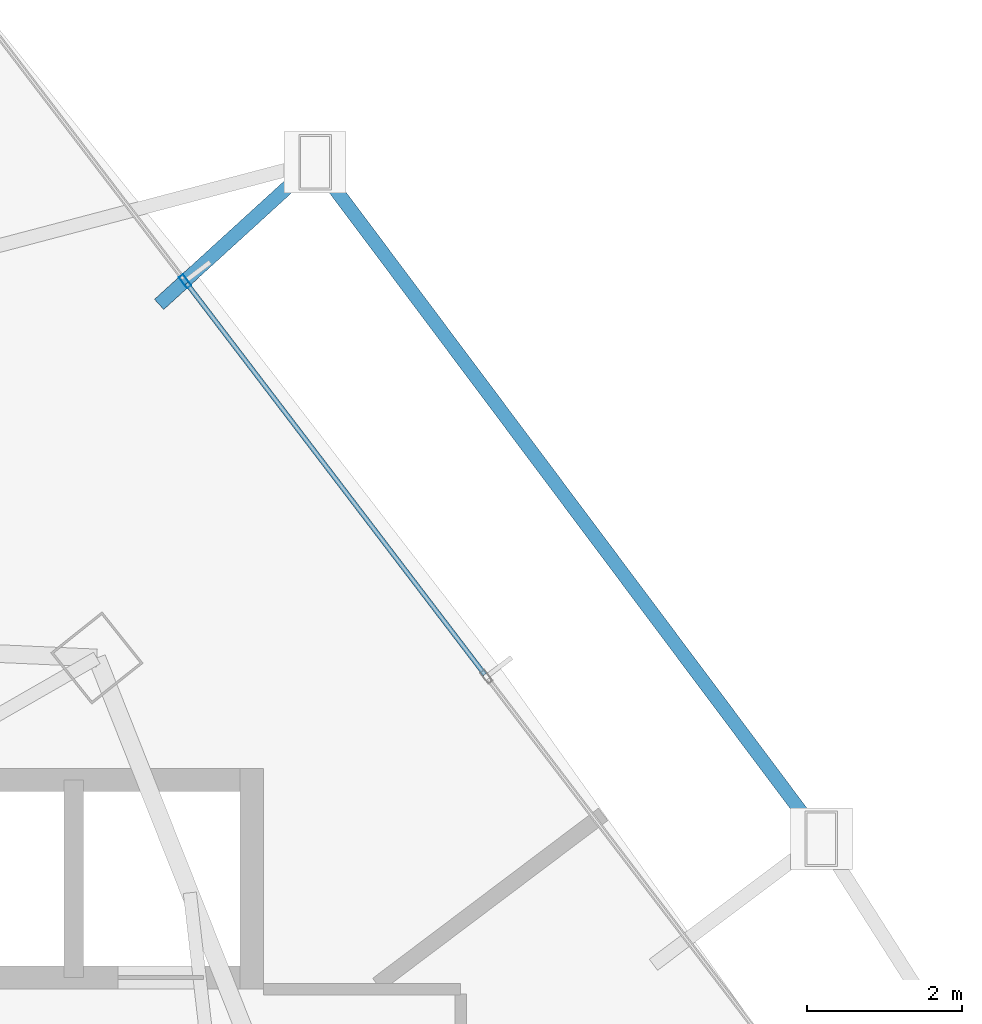
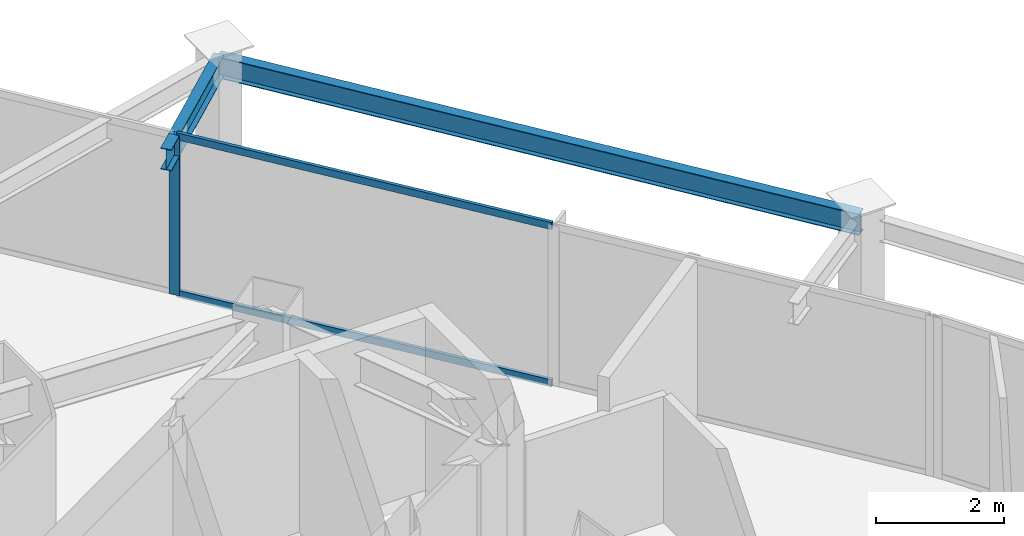
# One storey, part 30 of 38: 3 members, 2 beams, 1 element without a shape of its own.
"""IFC4 building model written with IfcOpenShell, lengths in metres."""

from ifc_helpers import new_model, si_unit, direction, frame, origin, origin_2d, place, context, subcontext, project, spatial, hollow_rectangle, i_section, extrude, material, layer, layer_set, material_profile, profile_set, type_object, element, aggregate, save


model = new_model("IFC4")

# Units and contexts
model_context = context("Model", 3, precision=1e-05, world=origin(), true_north=direction((0.0, 1.0)))
body_context = subcontext(model_context, "Body", "Model", "MODEL_VIEW")
ifc_project = project(units=[si_unit("LENGTHUNIT", "METRE"), si_unit("AREAUNIT", "SQUARE_METRE"), si_unit("VOLUMEUNIT", "CUBIC_METRE"), si_unit("PLANEANGLEUNIT", "RADIAN"), si_unit("MASSUNIT", "GRAM", prefix="KILO")], contexts=[model_context])

# Site, building, storey
site_placement = place(None, origin())
site = spatial("IfcSite", under=ifc_project, at=site_placement, CompositionType="ELEMENT")
building_placement = place(site_placement, origin())
building = spatial("IfcBuilding", under=site, at=building_placement, Name="Orvanel Arch Residences", CompositionType="ELEMENT")
storey_placement = place(building_placement, frame((0.0, 0.0, 50.0)))
storey = spatial("IfcBuildingStorey", under=building, at=storey_placement, Name="L13", CompositionType="ELEMENT", Elevation=50.0)

# Curtain wall, member
ifc_material_1 = material(Name="Bronze-anodised aluminium AA6063-T6", Category="aluminium")
ifc_layer = layer(ifc_material_1, 0.179931640625)
ifc_layer_set = layer_set([ifc_layer], Name="Bronze-anodised aluminium AA6063-T6")
curtain_wall_type = type_object("IfcCurtainWallType", Name="CW2-LOW-SYS", PredefinedType="NOTDEFINED", material=ifc_layer_set)
curtain_wall_placement = place(storey_placement, origin())
curtain_wall = element("IfcCurtainWall", 1, at=curtain_wall_placement, inside=storey, type_object=curtain_wall_type, Name="L13 CW2-LOW-SYS Unitised Curtain Wall", PredefinedType="NOTDEFINED")
ifc_material_profile_1 = material_profile(ifc_material_1, hollow_rectangle(XDim=0.070068359375, YDim=0.179931640625, WallThickness=0.00439453125, at=origin_2d()), Name="ALU180x70x4.5")
ifc_profile_set_1 = profile_set([ifc_material_profile_1], Name="Bronze-anodised aluminium AA6063-T6")
member_type_1 = type_object("IfcMemberType", Name="MUL-180x70", PredefinedType="MULLION", material=ifc_profile_set_1)
member_1_placement = place(storey_placement, frame((39.08935546875, 46.044677734375, 0.0), z_axis=(0.0, 0.0, 1.0), x_axis=(-0.795336402585, -0.606168299009, 0.0)))
member_1 = element("IfcMember", 2, at=member_1_placement, type_object=member_type_1, Name="CW-S2 mullion 3", PredefinedType="MULLION", context=body_context, shape_type="SweptSolid", body=[
    extrude(hollow_rectangle(XDim=0.070068359375, YDim=0.179931640625, WallThickness=0.00439453125, at=origin_2d()), origin(), (0.0, 0.0, 1.0), 3.06005859375),
])

# Beams
ifc_material_2 = material(Name="Structural steel AS/NZS 3679.1 Grade 300 (300 MPa)", Category="steel")
ifc_material_profile_2 = material_profile(ifc_material_2, i_section(OverallWidth=0.177978515625, OverallDepth=0.406005859375, WebThickness=0.0078125, FlangeThickness=0.0126953125, at=origin_2d()), Name="410UB59.7")
ifc_profile_set_2 = profile_set([ifc_material_profile_2], Name="Structural steel AS/NZS 3679.1 Grade 300 (300 MPa)")
beam_type = type_object("IfcBeamType", Name="OB-410UB-EXT", PredefinedType="SPANDREL", material=ifc_profile_set_2)
beam_1_placement = place(storey_placement, frame((47.30810546875, 38.843017578125, 2.85693359375), z_axis=(-0.599165834218, 0.800624945343, 0.0), x_axis=(-0.800624945343, -0.599165834218, 0.0)))
element("IfcBeam", 3, at=beam_1_placement, inside=storey, type_object=beam_type, Name="L13 Outer Perimeter Floor Ring Beam 11", PredefinedType="SPANDREL", context=body_context, shape_type="SweptSolid", body=[
    extrude(i_section(OverallWidth=0.177978515625, OverallDepth=0.406005859375, WebThickness=0.0078125, FlangeThickness=0.0126953125, at=origin_2d()), origin(), (0.0, 0.0, 1.0), 10.915283203125),
])
beam_2_placement = place(storey_placement, frame((38.75390625, 45.7451171875, 2.85693359375), z_axis=(0.738869281565, 0.673848784787, 0.0), x_axis=(-0.673848784787, 0.738869281565, 0.0)))
element("IfcBeam", 4, at=beam_2_placement, inside=storey, type_object=beam_type, Name="L13 Outer Frame Radial Tie Beam 12", PredefinedType="SPANDREL", context=body_context, shape_type="SweptSolid", body=[
    extrude(i_section(OverallWidth=0.177978515625, OverallDepth=0.406005859375, WebThickness=0.0078125, FlangeThickness=0.0126953125, at=origin_2d()), origin(), (0.0, 0.0, 1.0), 2.72607421875),
])

# Member
ifc_material_profile_3 = material_profile(ifc_material_1, hollow_rectangle(XDim=0.06005859375, YDim=0.135009765625, WallThickness=0.00390625, at=origin_2d()), Name="ALU135x60x4")
ifc_profile_set_3 = profile_set([ifc_material_profile_3], Name="Bronze-anodised aluminium AA6063-T6")
member_type_2 = type_object("IfcMemberType", Name="TRN-135x60", PredefinedType="USERDEFINED", material=ifc_profile_set_3)
member_2_placement = place(storey_placement, frame((42.96142578125, 40.964111328125, 0.030029296875), z_axis=(-0.606155521701, 0.795346140691, 0.0), x_axis=(-0.795346140691, -0.606155521701, 0.0)))
member_2 = element("IfcMember", 5, at=member_2_placement, type_object=member_type_2, Name="CW-S2 transom 2.1", ObjectType="TRANSOM", PredefinedType="USERDEFINED", context=body_context, shape_type="SweptSolid", body=[
    extrude(hollow_rectangle(XDim=0.06005859375, YDim=0.135009765625, WallThickness=0.00390625, at=origin_2d()), origin(), (0.0, 0.0, 1.0), 6.352783203125),
])

member_3_placement = place(storey_placement, frame((42.96142578125, 40.964111328125, 3.030029296875), z_axis=(-0.606155521701, 0.795346140691, 0.0), x_axis=(-0.795346140691, -0.606155521701, 0.0)))
member_3 = element("IfcMember", 6, at=member_3_placement, type_object=member_type_2, Name="CW-S2 transom 2.2", ObjectType="TRANSOM", PredefinedType="USERDEFINED", context=body_context, shape_type="SweptSolid", body=[
    extrude(hollow_rectangle(XDim=0.06005859375, YDim=0.135009765625, WallThickness=0.00390625, at=origin_2d()), origin(), (0.0, 0.0, 1.0), 6.352783203125),
])

aggregate(curtain_wall, [member_1, member_2, member_3])

save(model, "model.ifc")
